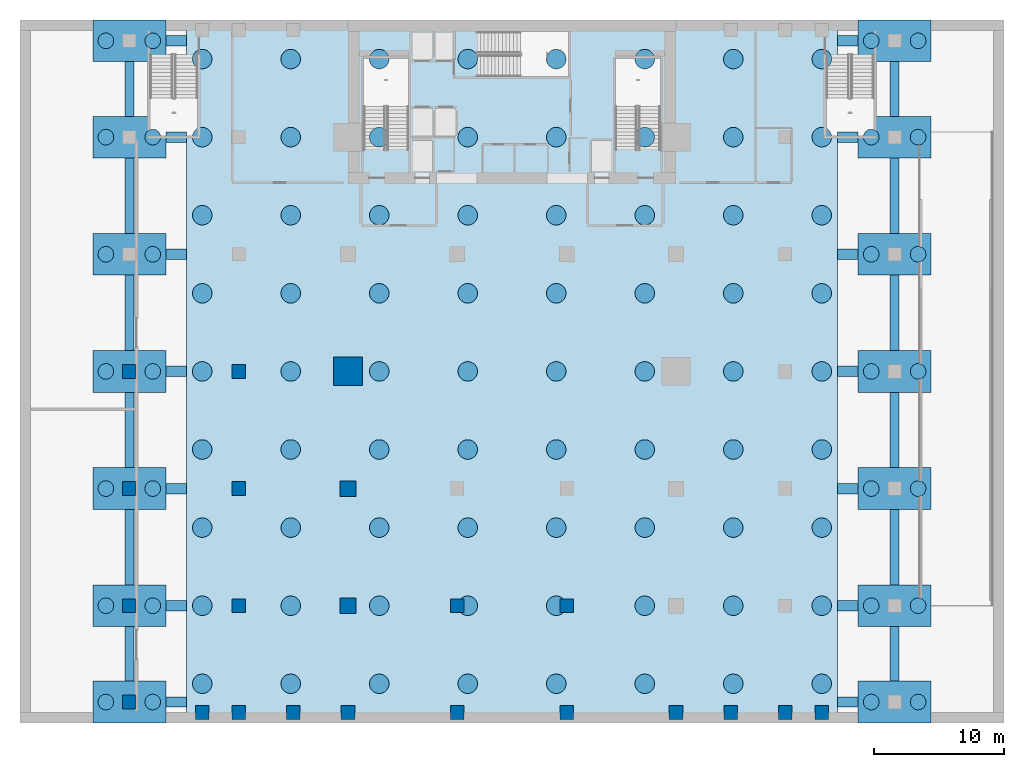
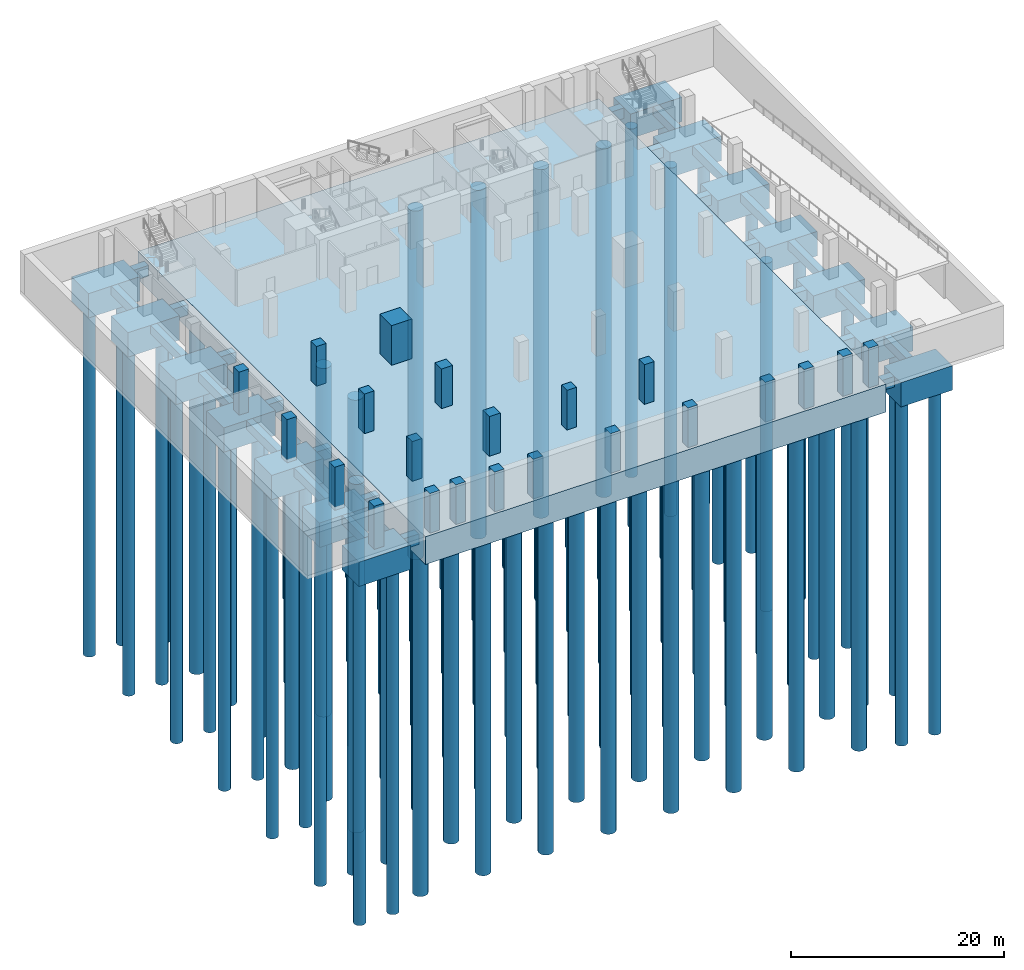
# One storey, part 1 of 9: 100 piles, 41 footings, 22 columns.
"""IFC4 building model written with IfcOpenShell, lengths in metres."""

import ifcopenshell
import ifcopenshell.guid

model = None  # the IFC model being written
_history = None  # IfcOwnerHistory: only IFC2X3 demands one
_inside = {}  # id of a spatial element -> (the spatial element, [elements in it])
_under = {}  # id of a project, library or spatial element -> (it, [spatial elements below it])
_declared = {}  # id of a project -> (the project, [libraries it declares])
_typed = {}  # id of a type object -> (the type object, [elements of that type])
_made_of = {}  # id of a material, layer set ... -> (it, [elements and type objects made of it])


def new_model(schema):
    """Start an empty IFC model of exactly this schema.

    Asked for "IFC4X3", IfcOpenShell would pick the latest addendum, in which some entities
    have other attributes; the version numbers below select the first issue.
    IFC2X3 requires an IfcOwnerHistory on every rooted entity: one is made here for all.
    """
    global model, _history
    if schema == "IFC4X3":
        model = ifcopenshell.file(schema_version=(4, 3, 0, 0))
    else:
        model = ifcopenshell.file(schema=schema)
    _inside.clear()
    _under.clear()
    _declared.clear()
    _typed.clear()
    _made_of.clear()
    _history = None
    if model.schema == "IFC2X3":
        org = make("IfcOrganization", Name="unknown")
        user = make(
            "IfcPersonAndOrganization",
            ThePerson=make("IfcPerson", FamilyName="unknown"),
            TheOrganization=org,
        )
        app = make(
            "IfcApplication",
            ApplicationDeveloper=org,
            Version="unknown",
            ApplicationFullName="unknown",
            ApplicationIdentifier="unknown",
        )
        _history = make(
            "IfcOwnerHistory",
            OwningUser=user,
            OwningApplication=app,
            ChangeAction="ADDED",
            CreationDate=0,
        )
    return model


def make(cls, **values):
    """One entity of the class cls with the attributes given. An attribute that is None is left unset."""
    return model.create_entity(
        cls, **{name: value for name, value in values.items() if value is not None}
    )


def rooted(cls, **values):
    """An entity with a GlobalId (a new one), such as an element, a storey or a relation."""
    return make(cls, GlobalId=ifcopenshell.guid.new(), OwnerHistory=_history, **values)


def si_unit(unit_type, name, prefix=None):
    """IfcSIUnit, for example si_unit("LENGTHUNIT", "METRE", prefix="MILLI")."""
    return make("IfcSIUnit", UnitType=unit_type, Prefix=prefix, Name=name)


def assignment(units):
    """IfcUnitAssignment: the units of a project."""
    return None if units is None else make("IfcUnitAssignment", Units=units)


def point(xyz):
    """IfcCartesianPoint."""
    return None if xyz is None else make("IfcCartesianPoint", Coordinates=xyz)


def direction(xyz):
    """IfcDirection."""
    return None if xyz is None else make("IfcDirection", DirectionRatios=xyz)


def frame(location, z_axis=None, x_axis=None):
    """IfcAxis2Placement3D, a coordinate frame: its origin and axes. An axis left out is left unset."""
    return make(
        "IfcAxis2Placement3D",
        Location=point(location),
        Axis=direction(z_axis),
        RefDirection=direction(x_axis),
    )


def frame_2d(location, x_axis=None):
    """IfcAxis2Placement2D, a coordinate frame in the plane: its origin and x axis."""
    return make(
        "IfcAxis2Placement2D", Location=point(location), RefDirection=direction(x_axis)
    )


def origin():
    """The frame at (0, 0, 0) with its axes left unset."""
    return frame((0.0, 0.0, 0.0))


def origin_2d():
    """The frame at (0, 0) in the plane with its x axis left unset."""
    return frame_2d((0.0, 0.0))


def place(relative_to, where):
    """IfcLocalPlacement: puts the frame where relative to a parent placement (None: the world)."""
    return make(
        "IfcLocalPlacement", PlacementRelTo=relative_to, RelativePlacement=where
    )


def context(
    kind, dimensions, precision=None, world=None, true_north=None, identifier=None
):
    """IfcGeometricRepresentationContext, for example the 3D "Model" context."""
    return make(
        "IfcGeometricRepresentationContext",
        ContextIdentifier=identifier,
        ContextType=kind,
        CoordinateSpaceDimension=dimensions,
        Precision=precision,
        WorldCoordinateSystem=world,
        TrueNorth=true_north,
    )


def subcontext(parent, identifier, kind, view, scale=None):
    """IfcGeometricRepresentationSubContext, for example "Body" below "Model"."""
    return make(
        "IfcGeometricRepresentationSubContext",
        ContextIdentifier=identifier,
        ContextType=kind,
        ParentContext=parent,
        TargetScale=scale,
        TargetView=view,
    )


def project(units=None, contexts=None):
    """IfcProject with its units and contexts."""
    return rooted(
        "IfcProject",
        Name="project",
        RepresentationContexts=contexts,
        UnitsInContext=assignment(units),
    )


def spatial(cls, under=None, at=None, **own):
    """A site, building, storey or space (cls), placed at a placement, below another one or the project."""
    s = rooted(cls, ObjectPlacement=at, **own)
    if under is not None:
        _under.setdefault(under.id(), (under, []))[1].append(s)
    return s


def polyline(points):
    """IfcPolyline through the points."""
    return make("IfcPolyline", Points=[point(p) for p in points])


def profile(cls, at=None, kind="AREA", **sizes):
    """A parametric profile (cls). Its sizes go by their IFC names, for example OverallWidth=200.0."""
    return make(cls, ProfileType=kind, Position=at, **sizes)


def rectangle(**sizes):
    """IfcRectangleProfileDef."""
    return profile("IfcRectangleProfileDef", **sizes)


def circle(**sizes):
    """IfcCircleProfileDef."""
    return profile("IfcCircleProfileDef", **sizes)


def outline(outer, holes=None, kind="AREA"):
    """IfcArbitraryClosedProfileDef: a profile drawn as a closed curve; with holes, ...WithVoids."""
    if holes is None:
        return make("IfcArbitraryClosedProfileDef", ProfileType=kind, OuterCurve=outer)
    return make(
        "IfcArbitraryProfileDefWithVoids",
        ProfileType=kind,
        OuterCurve=outer,
        InnerCurves=holes,
    )


def extrude(swept, where, along, depth):
    """IfcExtrudedAreaSolid: the profile swept, set in the frame where, extruded along a direction by depth."""
    return make(
        "IfcExtrudedAreaSolid",
        SweptArea=swept,
        Position=where,
        ExtrudedDirection=direction(along),
        Depth=depth,
    )


def shape(context_of_items, identifier, shape_type, items):
    """IfcShapeRepresentation: the items that make up one representation, for example the "Body"."""
    return make(
        "IfcShapeRepresentation",
        ContextOfItems=context_of_items,
        RepresentationIdentifier=identifier,
        RepresentationType=shape_type,
        Items=items,
    )


def material(Name=None, Category=None):
    """IfcMaterial."""
    return make("IfcMaterial", Name=Name, Category=Category)


def layer(
    of_material, thickness, ventilated=None, Name=None, Category=None, Priority=None
):
    """IfcMaterialLayer: one layer of a wall or slab, of a material (None: an air gap)."""
    return make(
        "IfcMaterialLayer",
        Material=of_material,
        LayerThickness=thickness,
        IsVentilated=ventilated,
        Name=Name,
        Category=Category,
        Priority=Priority,
    )


def layer_set(layers, Name=None):
    """IfcMaterialLayerSet."""
    return make("IfcMaterialLayerSet", MaterialLayers=layers, LayerSetName=Name)


def material_profile(
    of_material, cross_section, Name=None, Category=None, Priority=None
):
    """IfcMaterialProfile: a cross section and its material."""
    return make(
        "IfcMaterialProfile",
        Name=Name,
        Material=of_material,
        Profile=cross_section,
        Priority=Priority,
        Category=Category,
    )


def profile_set(profiles, Name=None, composite=None):
    """IfcMaterialProfileSet."""
    return make(
        "IfcMaterialProfileSet",
        Name=Name,
        MaterialProfiles=profiles,
        CompositeProfile=composite,
    )


def made_of(thing, what):
    """Note that an element or type object is made of a material, layer set ...; save() writes the relation."""
    if what is not None:
        _made_of.setdefault(what.id(), (what, []))[1].append(thing)
    return thing


def type_object(cls, material=None, **own):
    """A type object (cls), such as IfcWallType, which elements share."""
    return made_of(rooted(cls, **own), material)


def element(
    cls,
    number,
    at=None,
    inside=None,
    cuts=None,
    type_object=None,
    material=None,
    context=None,
    identifier="Body",
    shape_type=None,
    held_by="IfcProductDefinitionShape",
    body=None,
    shapes=None,
    **own,
):
    """One element of the class cls, such as IfcWall. Its Tag is "e" and its number.

    at: its placement. inside: the storey or other place that contains it. cuts: it is an
    opening in that element (IfcRelVoidsElement). A single representation is given by context,
    identifier, shape_type and body (its items); several are given by shapes. held_by: the class
    of the entity that holds the representations. save() writes the other relations.
    """
    e = rooted(cls, Tag="e%d" % number, ObjectPlacement=at, **own)
    if body is not None:
        shapes = [shape(context, identifier, shape_type, body)]
    if shapes is not None:
        e.Representation = make(held_by, Representations=shapes)
    if inside is not None:
        _inside.setdefault(inside.id(), (inside, []))[1].append(e)
    if cuts is not None:
        rooted(
            "IfcRelVoidsElement", RelatingBuildingElement=cuts, RelatedOpeningElement=e
        )
    if type_object is not None:
        _typed.setdefault(type_object.id(), (type_object, []))[1].append(e)
    return made_of(e, material)


def aggregate(whole, parts):
    """IfcRelAggregates: a whole, such as a stair, and the parts it consists of."""
    return rooted("IfcRelAggregates", RelatingObject=whole, RelatedObjects=parts)


def save(model, path):
    """Write the relations noted so far, then the file.

    IfcRelAggregates (storeys below a building ...), IfcRelContainedInSpatialStructure (elements
    in a storey), IfcRelDefinesByType, IfcRelAssociatesMaterial and IfcRelDeclares: one each for
    every whole, place, type object, material and project.
    """
    for whole, parts in _under.values():
        aggregate(whole, parts)
    for where, things in _inside.values():
        rooted(
            "IfcRelContainedInSpatialStructure",
            RelatedElements=things,
            RelatingStructure=where,
        )
    for kind, things in _typed.values():
        rooted("IfcRelDefinesByType", RelatedObjects=things, RelatingType=kind)
    for what, things in _made_of.values():
        rooted("IfcRelAssociatesMaterial", RelatedObjects=things, RelatingMaterial=what)
    for by, libraries in _declared.values():
        rooted("IfcRelDeclares", RelatingContext=by, RelatedDefinitions=libraries)
    model.write(path)


model = new_model("IFC4")

# Units and contexts
model_context = context("Model", 3, precision=1e-05, world=origin(), true_north=direction((0.0, 1.0)))
body_context = subcontext(model_context, "Body", "Model", "MODEL_VIEW")
ifc_project = project(units=[si_unit("LENGTHUNIT", "METRE"), si_unit("AREAUNIT", "SQUARE_METRE"), si_unit("VOLUMEUNIT", "CUBIC_METRE"), si_unit("PLANEANGLEUNIT", "RADIAN"), si_unit("MASSUNIT", "GRAM", prefix="KILO")], contexts=[model_context])

# Site, building, storey
site_placement = place(None, origin())
site = spatial("IfcSite", under=ifc_project, at=site_placement, CompositionType="ELEMENT")
building_placement = place(site_placement, origin())
building = spatial("IfcBuilding", under=site, at=building_placement, Name="Maruvema Waterfront Hotel and Observation Tower", CompositionType="ELEMENT")
storey_placement = place(building_placement, frame((0.0, 0.0, -9.800048828125)))
storey = spatial("IfcBuildingStorey", under=building, at=storey_placement, Name="B02", CompositionType="ELEMENT", Elevation=-9.800048828125)

# Piles
ifc_material_1 = material(Name="Concrete C50/60", Category="concrete")
ifc_material_profile_1 = material_profile(ifc_material_1, circle(Radius=0.60009765625, at=origin_2d()), Name="BP1200")
ifc_profile_set_1 = profile_set([ifc_material_profile_1], Name="Concrete C50/60")
pile_type_1 = type_object("IfcPileType", Name="Bored Concrete Pile BP1200", PredefinedType="BORED", material=ifc_profile_set_1)
for number, where, z_axis, x_axis, name in (
    (1, (6.60009765625, 1.60009765625, -3.0), (0.0, 0.0, -1.0), (1.0, 0.0, 0.0), "Bored Concrete Pile PILE-1200-01"),
    (2, (10.199951171875, 1.60009765625, -3.0), (0.0, 0.0, -1.0), (1.0, 0.0, 0.0), "Bored Concrete Pile PILE-1200-02"),
    (3, (6.60009765625, 9.0, -3.0), (0.0, 0.0, -1.0), (1.0, 0.0, 0.0), "Bored Concrete Pile PILE-1200-03"),
    (4, (10.199951171875, 9.0, -3.0), (0.0, 0.0, -1.0), (1.0, 0.0, 0.0), "Bored Concrete Pile PILE-1200-04"),
    (5, (6.60009765625, 18.0, -3.0), (0.0, 0.0, -1.0), (1.0, 0.0, 0.0), "Bored Concrete Pile PILE-1200-05"),
    (6, (10.199951171875, 18.0, -3.0), (0.0, 0.0, -1.0), (1.0, 0.0, 0.0), "Bored Concrete Pile PILE-1200-06"),
    (7, (6.60009765625, 27.0, -3.0), (0.0, 0.0, -1.0), (1.0, 0.0, 0.0), "Bored Concrete Pile PILE-1200-07"),
    (8, (10.199951171875, 27.0, -3.0), (0.0, 0.0, -1.0), (1.0, 0.0, 0.0), "Bored Concrete Pile PILE-1200-08"),
    (9, (6.60009765625, 36.0, -3.0), (0.0, 0.0, -1.0), (1.0, 0.0, 0.0), "Bored Concrete Pile PILE-1200-09"),
    (10, (10.199951171875, 36.0, -3.0), (0.0, 0.0, -1.0), (1.0, 0.0, 0.0), "Bored Concrete Pile PILE-1200-10"),
    (11, (6.60009765625, 45.0, -3.0), (0.0, 0.0, -1.0), (1.0, 0.0, 0.0), "Bored Concrete Pile PILE-1200-11"),
    (12, (10.199951171875, 45.0, -3.0), (0.0, 0.0, -1.0), (1.0, 0.0, 0.0), "Bored Concrete Pile PILE-1200-12"),
    (13, (6.60009765625, 52.39990234375, -3.0), (0.0, 0.0, -1.0), (1.0, 0.0, 0.0), "Bored Concrete Pile PILE-1200-13"),
    (14, (10.199951171875, 52.39990234375, -3.0), (0.0, 0.0, -1.0), (1.0, 0.0, 0.0), "Bored Concrete Pile PILE-1200-14"),
    (15, (65.39990234375, 1.60009765625, -3.0), (0.0, 0.0, -1.0), (1.0, 0.0, 0.0), "Bored Concrete Pile PILE-1200-15"),
    (16, (69.0, 1.60009765625, -3.0), (0.0, 0.0, -1.0), (1.0, 0.0, 0.0), "Bored Concrete Pile PILE-1200-16"),
    (17, (65.39990234375, 9.0, -3.0), (0.0, 0.0, -1.0), (1.0, 0.0, 0.0), "Bored Concrete Pile PILE-1200-17"),
    (18, (69.0, 9.0, -3.0), (0.0, 0.0, -1.0), (1.0, 0.0, 0.0), "Bored Concrete Pile PILE-1200-18"),
    (19, (65.39990234375, 18.0, -3.0), (0.0, 0.0, -1.0), (1.0, 0.0, 0.0), "Bored Concrete Pile PILE-1200-19"),
    (20, (69.0, 18.0, -3.0), (0.0, 0.0, -1.0), (1.0, 0.0, 0.0), "Bored Concrete Pile PILE-1200-20"),
    (21, (65.39990234375, 27.0, -3.0), (0.0, 0.0, -1.0), (1.0, 0.0, 0.0), "Bored Concrete Pile PILE-1200-21"),
    (22, (69.0, 27.0, -3.0), (0.0, 0.0, -1.0), (1.0, 0.0, 0.0), "Bored Concrete Pile PILE-1200-22"),
    (23, (65.39990234375, 36.0, -3.0), (0.0, 0.0, -1.0), (1.0, 0.0, 0.0), "Bored Concrete Pile PILE-1200-23"),
    (24, (69.0, 36.0, -3.0), (0.0, 0.0, -1.0), (1.0, 0.0, 0.0), "Bored Concrete Pile PILE-1200-24"),
    (25, (65.39990234375, 45.0, -3.0), (0.0, 0.0, -1.0), (1.0, 0.0, 0.0), "Bored Concrete Pile PILE-1200-25"),
    (26, (69.0, 45.0, -3.0), (0.0, 0.0, -1.0), (1.0, 0.0, 0.0), "Bored Concrete Pile PILE-1200-26"),
    (27, (65.39990234375, 52.39990234375, -3.0), (0.0, 0.0, -1.0), (1.0, 0.0, 0.0), "Bored Concrete Pile PILE-1200-27"),
    (28, (69.0, 52.39990234375, -3.0), (0.0, 0.0, -1.0), (1.0, 0.0, 0.0), "Bored Concrete Pile PILE-1200-28"),
):
    element("IfcPile", number, at=place(storey_placement, frame(where, z_axis=z_axis, x_axis=x_axis)), inside=storey, type_object=pile_type_1, Name=name, PredefinedType="BORED", context=body_context, shape_type="SweptSolid", body=[
        extrude(circle(Radius=0.60009765625, at=origin_2d()), origin(), (0.0, 0.0, 1.0), 40.0),
    ])
ifc_material_2 = material(Name="Concrete C50/60", Category="concrete")
ifc_material_profile_2 = material_profile(ifc_material_2, circle(Radius=0.75, at=origin_2d()), Name="BP1500")
ifc_profile_set_2 = profile_set([ifc_material_profile_2], Name="Concrete C50/60")
pile_type_2 = type_object("IfcPileType", Name="Bored Concrete Pile BP1500", PredefinedType="BORED", material=ifc_profile_set_2)
for number, where, z_axis, x_axis, name in (
    (29, (14.0, 3.0, -3.0), (0.0, 0.0, -1.0), (1.0, 0.0, 0.0), "Bored Concrete Pile PILE-1500-01"),
    (30, (20.800048828125, 3.0, -3.0), (0.0, 0.0, -1.0), (1.0, 0.0, 0.0), "Bored Concrete Pile PILE-1500-02"),
    (31, (27.60009765625, 3.0, -3.0), (0.0, 0.0, -1.0), (1.0, 0.0, 0.0), "Bored Concrete Pile PILE-1500-03"),
    (32, (34.39990234375, 3.0, -3.0), (0.0, 0.0, -1.0), (1.0, 0.0, 0.0), "Bored Concrete Pile PILE-1500-04"),
    (33, (41.199951171875, 3.0, -3.0), (0.0, 0.0, -1.0), (1.0, 0.0, 0.0), "Bored Concrete Pile PILE-1500-05"),
    (34, (48.0, 3.0, -3.0), (0.0, 0.0, -1.0), (1.0, 0.0, 0.0), "Bored Concrete Pile PILE-1500-06"),
    (35, (54.800048828125, 3.0, -3.0), (0.0, 0.0, -1.0), (1.0, 0.0, 0.0), "Bored Concrete Pile PILE-1500-07"),
    (36, (61.60009765625, 3.0, -3.0), (0.0, 0.0, -1.0), (1.0, 0.0, 0.0), "Bored Concrete Pile PILE-1500-08"),
    (37, (14.0, 9.0, -3.0), (0.0, 0.0, -1.0), (1.0, 0.0, 0.0), "Bored Concrete Pile PILE-1500-09"),
    (38, (20.800048828125, 9.0, -3.0), (0.0, 0.0, -1.0), (1.0, 0.0, 0.0), "Bored Concrete Pile PILE-1500-10"),
    (39, (27.60009765625, 9.0, -3.0), (0.0, 0.0, -1.0), (1.0, 0.0, 0.0), "Bored Concrete Pile PILE-1500-11"),
    (40, (34.39990234375, 9.0, -3.0), (0.0, 0.0, -1.0), (1.0, 0.0, 0.0), "Bored Concrete Pile PILE-1500-12"),
    (41, (41.199951171875, 9.0, -3.0), (0.0, 0.0, -1.0), (1.0, 0.0, 0.0), "Bored Concrete Pile PILE-1500-13"),
    (42, (48.0, 9.0, -3.0), (0.0, 0.0, -1.0), (1.0, 0.0, 0.0), "Bored Concrete Pile PILE-1500-14"),
    (43, (54.800048828125, 9.0, -3.0), (0.0, 0.0, -1.0), (1.0, 0.0, 0.0), "Bored Concrete Pile PILE-1500-15"),
    (44, (61.60009765625, 9.0, -3.0), (0.0, 0.0, -1.0), (1.0, 0.0, 0.0), "Bored Concrete Pile PILE-1500-16"),
    (45, (14.0, 15.0, -3.0), (0.0, 0.0, -1.0), (1.0, 0.0, 0.0), "Bored Concrete Pile PILE-1500-17"),
    (46, (20.800048828125, 15.0, -3.0), (0.0, 0.0, -1.0), (1.0, 0.0, 0.0), "Bored Concrete Pile PILE-1500-18"),
    (47, (27.60009765625, 15.0, -3.0), (0.0, 0.0, -1.0), (1.0, 0.0, 0.0), "Bored Concrete Pile PILE-1500-19"),
    (48, (34.39990234375, 15.0, -3.0), (0.0, 0.0, -1.0), (1.0, 0.0, 0.0), "Bored Concrete Pile PILE-1500-20"),
    (49, (41.199951171875, 15.0, -3.0), (0.0, 0.0, -1.0), (1.0, 0.0, 0.0), "Bored Concrete Pile PILE-1500-21"),
    (50, (48.0, 15.0, -3.0), (0.0, 0.0, -1.0), (1.0, 0.0, 0.0), "Bored Concrete Pile PILE-1500-22"),
    (51, (54.800048828125, 15.0, -3.0), (0.0, 0.0, -1.0), (1.0, 0.0, 0.0), "Bored Concrete Pile PILE-1500-23"),
    (52, (61.60009765625, 15.0, -3.0), (0.0, 0.0, -1.0), (1.0, 0.0, 0.0), "Bored Concrete Pile PILE-1500-24"),
    (53, (14.0, 21.0, -3.0), (0.0, 0.0, -1.0), (1.0, 0.0, 0.0), "Bored Concrete Pile PILE-1500-25"),
    (54, (20.800048828125, 21.0, -3.0), (0.0, 0.0, -1.0), (1.0, 0.0, 0.0), "Bored Concrete Pile PILE-1500-26"),
    (55, (27.60009765625, 21.0, -3.0), (0.0, 0.0, -1.0), (1.0, 0.0, 0.0), "Bored Concrete Pile PILE-1500-27"),
    (56, (34.39990234375, 21.0, -3.0), (0.0, 0.0, -1.0), (1.0, 0.0, 0.0), "Bored Concrete Pile PILE-1500-28"),
    (57, (41.199951171875, 21.0, -3.0), (0.0, 0.0, -1.0), (1.0, 0.0, 0.0), "Bored Concrete Pile PILE-1500-29"),
    (58, (48.0, 21.0, -3.0), (0.0, 0.0, -1.0), (1.0, 0.0, 0.0), "Bored Concrete Pile PILE-1500-30"),
    (59, (54.800048828125, 21.0, -3.0), (0.0, 0.0, -1.0), (1.0, 0.0, 0.0), "Bored Concrete Pile PILE-1500-31"),
    (60, (61.60009765625, 21.0, -3.0), (0.0, 0.0, -1.0), (1.0, 0.0, 0.0), "Bored Concrete Pile PILE-1500-32"),
    (61, (14.0, 27.0, -3.0), (0.0, 0.0, -1.0), (1.0, 0.0, 0.0), "Bored Concrete Pile PILE-1500-33"),
    (62, (20.800048828125, 27.0, -3.0), (0.0, 0.0, -1.0), (1.0, 0.0, 0.0), "Bored Concrete Pile PILE-1500-34"),
    (63, (27.60009765625, 27.0, -3.0), (0.0, 0.0, -1.0), (1.0, 0.0, 0.0), "Bored Concrete Pile PILE-1500-35"),
    (64, (34.39990234375, 27.0, -3.0), (0.0, 0.0, -1.0), (1.0, 0.0, 0.0), "Bored Concrete Pile PILE-1500-36"),
    (65, (41.199951171875, 27.0, -3.0), (0.0, 0.0, -1.0), (1.0, 0.0, 0.0), "Bored Concrete Pile PILE-1500-37"),
    (66, (48.0, 27.0, -3.0), (0.0, 0.0, -1.0), (1.0, 0.0, 0.0), "Bored Concrete Pile PILE-1500-38"),
    (67, (54.800048828125, 27.0, -3.0), (0.0, 0.0, -1.0), (1.0, 0.0, 0.0), "Bored Concrete Pile PILE-1500-39"),
    (68, (61.60009765625, 27.0, -3.0), (0.0, 0.0, -1.0), (1.0, 0.0, 0.0), "Bored Concrete Pile PILE-1500-40"),
    (69, (14.0, 33.0, -3.0), (0.0, 0.0, -1.0), (1.0, 0.0, 0.0), "Bored Concrete Pile PILE-1500-41"),
    (70, (20.800048828125, 33.0, -3.0), (0.0, 0.0, -1.0), (1.0, 0.0, 0.0), "Bored Concrete Pile PILE-1500-42"),
    (71, (27.60009765625, 33.0, -3.0), (0.0, 0.0, -1.0), (1.0, 0.0, 0.0), "Bored Concrete Pile PILE-1500-43"),
    (72, (34.39990234375, 33.0, -3.0), (0.0, 0.0, -1.0), (1.0, 0.0, 0.0), "Bored Concrete Pile PILE-1500-44"),
    (73, (41.199951171875, 33.0, -3.0), (0.0, 0.0, -1.0), (1.0, 0.0, 0.0), "Bored Concrete Pile PILE-1500-45"),
    (74, (48.0, 33.0, -3.0), (0.0, 0.0, -1.0), (1.0, 0.0, 0.0), "Bored Concrete Pile PILE-1500-46"),
    (75, (54.800048828125, 33.0, -3.0), (0.0, 0.0, -1.0), (1.0, 0.0, 0.0), "Bored Concrete Pile PILE-1500-47"),
    (76, (61.60009765625, 33.0, -3.0), (0.0, 0.0, -1.0), (1.0, 0.0, 0.0), "Bored Concrete Pile PILE-1500-48"),
    (77, (14.0, 39.0, -3.0), (0.0, 0.0, -1.0), (1.0, 0.0, 0.0), "Bored Concrete Pile PILE-1500-49"),
    (78, (20.800048828125, 39.0, -3.0), (0.0, 0.0, -1.0), (1.0, 0.0, 0.0), "Bored Concrete Pile PILE-1500-50"),
    (79, (27.60009765625, 39.0, -3.0), (0.0, 0.0, -1.0), (1.0, 0.0, 0.0), "Bored Concrete Pile PILE-1500-51"),
    (80, (34.39990234375, 39.0, -3.0), (0.0, 0.0, -1.0), (1.0, 0.0, 0.0), "Bored Concrete Pile PILE-1500-52"),
    (81, (41.199951171875, 39.0, -3.0), (0.0, 0.0, -1.0), (1.0, 0.0, 0.0), "Bored Concrete Pile PILE-1500-53"),
    (82, (48.0, 39.0, -3.0), (0.0, 0.0, -1.0), (1.0, 0.0, 0.0), "Bored Concrete Pile PILE-1500-54"),
    (83, (54.800048828125, 39.0, -3.0), (0.0, 0.0, -1.0), (1.0, 0.0, 0.0), "Bored Concrete Pile PILE-1500-55"),
    (84, (61.60009765625, 39.0, -3.0), (0.0, 0.0, -1.0), (1.0, 0.0, 0.0), "Bored Concrete Pile PILE-1500-56"),
    (85, (14.0, 45.0, -3.0), (0.0, 0.0, -1.0), (1.0, 0.0, 0.0), "Bored Concrete Pile PILE-1500-57"),
    (86, (20.800048828125, 45.0, -3.0), (0.0, 0.0, -1.0), (1.0, 0.0, 0.0), "Bored Concrete Pile PILE-1500-58"),
    (87, (27.60009765625, 45.0, -3.0), (0.0, 0.0, -1.0), (1.0, 0.0, 0.0), "Bored Concrete Pile PILE-1500-59"),
    (88, (34.39990234375, 45.0, -3.0), (0.0, 0.0, -1.0), (1.0, 0.0, 0.0), "Bored Concrete Pile PILE-1500-60"),
    (89, (41.199951171875, 45.0, -3.0), (0.0, 0.0, -1.0), (1.0, 0.0, 0.0), "Bored Concrete Pile PILE-1500-61"),
    (90, (48.0, 45.0, -3.0), (0.0, 0.0, -1.0), (1.0, 0.0, 0.0), "Bored Concrete Pile PILE-1500-62"),
    (91, (54.800048828125, 45.0, -3.0), (0.0, 0.0, -1.0), (1.0, 0.0, 0.0), "Bored Concrete Pile PILE-1500-63"),
    (92, (61.60009765625, 45.0, -3.0), (0.0, 0.0, -1.0), (1.0, 0.0, 0.0), "Bored Concrete Pile PILE-1500-64"),
    (93, (14.0, 51.0, -3.0), (0.0, 0.0, -1.0), (1.0, 0.0, 0.0), "Bored Concrete Pile PILE-1500-65"),
    (94, (20.800048828125, 51.0, -3.0), (0.0, 0.0, -1.0), (1.0, 0.0, 0.0), "Bored Concrete Pile PILE-1500-66"),
    (95, (27.60009765625, 51.0, -3.0), (0.0, 0.0, -1.0), (1.0, 0.0, 0.0), "Bored Concrete Pile PILE-1500-67"),
    (96, (34.39990234375, 51.0, -3.0), (0.0, 0.0, -1.0), (1.0, 0.0, 0.0), "Bored Concrete Pile PILE-1500-68"),
    (97, (41.199951171875, 51.0, -3.0), (0.0, 0.0, -1.0), (1.0, 0.0, 0.0), "Bored Concrete Pile PILE-1500-69"),
    (98, (48.0, 51.0, -3.0), (0.0, 0.0, -1.0), (1.0, 0.0, 0.0), "Bored Concrete Pile PILE-1500-70"),
    (99, (54.800048828125, 51.0, -3.0), (0.0, 0.0, -1.0), (1.0, 0.0, 0.0), "Bored Concrete Pile PILE-1500-71"),
    (100, (61.60009765625, 51.0, -3.0), (0.0, 0.0, -1.0), (1.0, 0.0, 0.0), "Bored Concrete Pile PILE-1500-72"),
):
    element("IfcPile", number, at=place(storey_placement, frame(where, z_axis=z_axis, x_axis=x_axis)), inside=storey, type_object=pile_type_2, Name=name, PredefinedType="BORED", context=body_context, shape_type="SweptSolid", body=[
        extrude(circle(Radius=0.75, at=origin_2d()), origin(), (0.0, 0.0, 1.0), 40.0),
    ])

# Footings
ifc_material_3 = material(Name="Concrete C60/75", Category="concrete")
ifc_material_profile_3 = material_profile(ifc_material_3, rectangle(XDim=0.699951171875, YDim=1.0, at=origin_2d()), Name="GB700x1000")
ifc_profile_set_3 = profile_set([ifc_material_profile_3], Name="Concrete C60/75")
footing_type_1 = type_object("IfcFootingType", Name="Foundation Tie Ground Beam GB700x1000", PredefinedType="FOOTING_BEAM", material=ifc_profile_set_3)
footing_1_placement = place(storey_placement, frame((8.39990234375, 3.199951171875, -0.89990234375), z_axis=(0.0, 1.0, 0.0), x_axis=(-1.0, 0.0, 0.0)))
element("IfcFooting", 101, at=footing_1_placement, inside=storey, type_object=footing_type_1, Name="Perimeter Ground Beam GB-02 W1", PredefinedType="FOOTING_BEAM", context=body_context, shape_type="SweptSolid", body=[
    extrude(rectangle(XDim=0.699951171875, YDim=1.0, at=origin_2d()), origin(), (0.0, 0.0, 1.0), 4.199951171875),
])
for number, where, z_axis, x_axis, name in (
    (102, (8.39990234375, 10.60009765625, -0.89990234375), (0.0, 1.0, 0.0), (-1.0, 0.0, 0.0), "Perimeter Ground Beam GB-02 W2"),
    (103, (8.39990234375, 19.60009765625, -0.89990234375), (0.0, 1.0, 0.0), (-1.0, 0.0, 0.0), "Perimeter Ground Beam GB-02 W3"),
    (104, (8.39990234375, 28.60009765625, -0.89990234375), (0.0, 1.0, 0.0), (-1.0, 0.0, 0.0), "Perimeter Ground Beam GB-02 W4"),
    (105, (8.39990234375, 37.60009765625, -0.89990234375), (0.0, 1.0, 0.0), (-1.0, 0.0, 0.0), "Perimeter Ground Beam GB-02 W5"),
):
    element("IfcFooting", number, at=place(storey_placement, frame(where, z_axis=z_axis, x_axis=x_axis)), inside=storey, type_object=footing_type_1, Name=name, PredefinedType="FOOTING_BEAM", context=body_context, shape_type="SweptSolid", body=[
        extrude(rectangle(XDim=0.699951171875, YDim=1.0, at=origin_2d()), origin(), (0.0, 0.0, 1.0), 5.7998046875),
    ])
for number, where, z_axis, x_axis, name in (
    (106, (8.39990234375, 46.60009765625, -0.89990234375), (0.0, 1.0, 0.0), (-1.0, 0.0, 0.0), "Perimeter Ground Beam GB-02 W6"),
    (107, (67.199951171875, 3.199951171875, -0.89990234375), (0.0, 1.0, 0.0), (-1.0, 0.0, 0.0), "Perimeter Ground Beam GB-02 E1"),
):
    element("IfcFooting", number, at=place(storey_placement, frame(where, z_axis=z_axis, x_axis=x_axis)), inside=storey, type_object=footing_type_1, Name=name, PredefinedType="FOOTING_BEAM", context=body_context, shape_type="SweptSolid", body=[
        extrude(rectangle(XDim=0.699951171875, YDim=1.0, at=origin_2d()), origin(), (0.0, 0.0, 1.0), 4.199951171875),
    ])
for number, where, z_axis, x_axis, name in (
    (108, (67.199951171875, 10.60009765625, -0.89990234375), (0.0, 1.0, 0.0), (-1.0, 0.0, 0.0), "Perimeter Ground Beam GB-02 E2"),
    (109, (67.199951171875, 19.60009765625, -0.89990234375), (0.0, 1.0, 0.0), (-1.0, 0.0, 0.0), "Perimeter Ground Beam GB-02 E3"),
    (110, (67.199951171875, 28.60009765625, -0.89990234375), (0.0, 1.0, 0.0), (-1.0, 0.0, 0.0), "Perimeter Ground Beam GB-02 E4"),
    (111, (67.199951171875, 37.60009765625, -0.89990234375), (0.0, 1.0, 0.0), (-1.0, 0.0, 0.0), "Perimeter Ground Beam GB-02 E5"),
):
    element("IfcFooting", number, at=place(storey_placement, frame(where, z_axis=z_axis, x_axis=x_axis)), inside=storey, type_object=footing_type_1, Name=name, PredefinedType="FOOTING_BEAM", context=body_context, shape_type="SweptSolid", body=[
        extrude(rectangle(XDim=0.699951171875, YDim=1.0, at=origin_2d()), origin(), (0.0, 0.0, 1.0), 5.7998046875),
    ])
footing_2_placement = place(storey_placement, frame((67.199951171875, 46.60009765625, -0.89990234375), z_axis=(0.0, 1.0, 0.0), x_axis=(-1.0, 0.0, 0.0)))
element("IfcFooting", 112, at=footing_2_placement, inside=storey, type_object=footing_type_1, Name="Perimeter Ground Beam GB-02 E6", PredefinedType="FOOTING_BEAM", context=body_context, shape_type="SweptSolid", body=[
    extrude(rectangle(XDim=0.699951171875, YDim=1.0, at=origin_2d()), origin(), (0.0, 0.0, 1.0), 4.199951171875),
])
ifc_material_4 = material(Name="Concrete C60/75", Category="concrete")
ifc_material_profile_4 = material_profile(ifc_material_4, rectangle(XDim=0.800048828125, YDim=1.199951171875, at=origin_2d()), Name="GB800x1200")
ifc_profile_set_4 = profile_set([ifc_material_profile_4], Name="Concrete C60/75")
footing_type_2 = type_object("IfcFootingType", Name="Foundation Tie Ground Beam GB800x1200", PredefinedType="FOOTING_BEAM", material=ifc_profile_set_4)
for number, where, z_axis, x_axis, name in (
    (113, (11.199951171875, 1.60009765625, -1.0), (1.0, 0.0, 0.0), (0.0, 1.0, 0.0), "Foundation Ground Beam GB-01 W1"),
    (114, (11.199951171875, 9.0, -1.0), (1.0, 0.0, 0.0), (0.0, 1.0, 0.0), "Foundation Ground Beam GB-01 W2"),
    (115, (11.199951171875, 18.0, -1.0), (1.0, 0.0, 0.0), (0.0, 1.0, 0.0), "Foundation Ground Beam GB-01 W3"),
    (116, (11.199951171875, 27.0, -1.0), (1.0, 0.0, 0.0), (0.0, 1.0, 0.0), "Foundation Ground Beam GB-01 W4"),
    (117, (11.199951171875, 36.0, -1.0), (1.0, 0.0, 0.0), (0.0, 1.0, 0.0), "Foundation Ground Beam GB-01 W5"),
    (118, (11.199951171875, 45.0, -1.0), (1.0, 0.0, 0.0), (0.0, 1.0, 0.0), "Foundation Ground Beam GB-01 W6"),
    (119, (11.199951171875, 52.39990234375, -1.0), (1.0, 0.0, 0.0), (0.0, 1.0, 0.0), "Foundation Ground Beam GB-01 W7"),
):
    element("IfcFooting", number, at=place(storey_placement, frame(where, z_axis=z_axis, x_axis=x_axis)), inside=storey, type_object=footing_type_2, Name=name, PredefinedType="FOOTING_BEAM", context=body_context, shape_type="SweptSolid", body=[
        extrude(rectangle(XDim=0.800048828125, YDim=1.199951171875, at=origin_2d()), origin(), (0.0, 0.0, 1.0), 1.60009765625),
    ])
for number, where, z_axis, x_axis, name in (
    (120, (62.800048828125, 1.60009765625, -1.0), (1.0, 0.0, 0.0), (0.0, 1.0, 0.0), "Foundation Ground Beam GB-01 E1"),
    (121, (62.800048828125, 9.0, -1.0), (1.0, 0.0, 0.0), (0.0, 1.0, 0.0), "Foundation Ground Beam GB-01 E2"),
    (122, (62.800048828125, 18.0, -1.0), (1.0, 0.0, 0.0), (0.0, 1.0, 0.0), "Foundation Ground Beam GB-01 E3"),
    (123, (62.800048828125, 27.0, -1.0), (1.0, 0.0, 0.0), (0.0, 1.0, 0.0), "Foundation Ground Beam GB-01 E4"),
    (124, (62.800048828125, 36.0, -1.0), (1.0, 0.0, 0.0), (0.0, 1.0, 0.0), "Foundation Ground Beam GB-01 E5"),
    (125, (62.800048828125, 45.0, -1.0), (1.0, 0.0, 0.0), (0.0, 1.0, 0.0), "Foundation Ground Beam GB-01 E6"),
    (126, (62.800048828125, 52.39990234375, -1.0), (1.0, 0.0, 0.0), (0.0, 1.0, 0.0), "Foundation Ground Beam GB-01 E7"),
):
    element("IfcFooting", number, at=place(storey_placement, frame(where, z_axis=z_axis, x_axis=x_axis)), inside=storey, type_object=footing_type_2, Name=name, PredefinedType="FOOTING_BEAM", context=body_context, shape_type="SweptSolid", body=[
        extrude(rectangle(XDim=0.800048828125, YDim=1.199951171875, at=origin_2d()), origin(), (0.0, 0.0, 1.0), 1.599853515625),
    ])
ifc_material_5 = material(Name="Concrete C60/75", Category="concrete")
ifc_layer_1 = layer(ifc_material_5, 2.800048828125, Name="Perimeter Podium Pile Cap 2800 mm")
ifc_layer_set_1 = layer_set([ifc_layer_1], Name="Concrete C60/75")
footing_type_3 = type_object("IfcFootingType", Name="Perimeter Podium Pile Cap 2800 mm", PredefinedType="PILE_CAP", material=ifc_layer_set_1)
footing_3_placement = place(storey_placement, frame((0.0, 0.0, -3.199951171875)))
element("IfcFooting", 127, at=footing_3_placement, inside=storey, type_object=footing_type_3, Name="Perimeter Pile Cap PC-01 W1", PredefinedType="PILE_CAP", context=body_context, shape_type="SweptSolid", body=[
    extrude(outline(polyline([(5.60009765625, 0.0), (11.199951171875, 0.0), (11.199951171875, 3.199951171875), (5.60009765625, 3.199951171875), (5.60009765625, 0.0)])), origin(), (0.0, 0.0, 1.0), 2.800048828125),
])
footing_4_placement = place(storey_placement, frame((0.0, 0.0, -3.199951171875)))
element("IfcFooting", 128, at=footing_4_placement, inside=storey, type_object=footing_type_3, Name="Perimeter Pile Cap PC-01 W2", PredefinedType="PILE_CAP", context=body_context, shape_type="SweptSolid", body=[
    extrude(outline(polyline([(5.60009765625, 7.39990234375), (11.199951171875, 7.39990234375), (11.199951171875, 10.60009765625), (5.60009765625, 10.60009765625), (5.60009765625, 7.39990234375)])), origin(), (0.0, 0.0, 1.0), 2.800048828125),
])
footing_5_placement = place(storey_placement, frame((0.0, 0.0, -3.199951171875)))
element("IfcFooting", 129, at=footing_5_placement, inside=storey, type_object=footing_type_3, Name="Perimeter Pile Cap PC-01 W3", PredefinedType="PILE_CAP", context=body_context, shape_type="SweptSolid", body=[
    extrude(outline(polyline([(5.60009765625, 16.39990234375), (11.199951171875, 16.39990234375), (11.199951171875, 19.60009765625), (5.60009765625, 19.60009765625), (5.60009765625, 16.39990234375)])), origin(), (0.0, 0.0, 1.0), 2.800048828125),
])
footing_6_placement = place(storey_placement, frame((0.0, 0.0, -3.199951171875)))
element("IfcFooting", 130, at=footing_6_placement, inside=storey, type_object=footing_type_3, Name="Perimeter Pile Cap PC-01 W4", PredefinedType="PILE_CAP", context=body_context, shape_type="SweptSolid", body=[
    extrude(outline(polyline([(5.60009765625, 25.39990234375), (11.199951171875, 25.39990234375), (11.199951171875, 28.60009765625), (5.60009765625, 28.60009765625), (5.60009765625, 25.39990234375)])), origin(), (0.0, 0.0, 1.0), 2.800048828125),
])
footing_7_placement = place(storey_placement, frame((0.0, 0.0, -3.199951171875)))
element("IfcFooting", 131, at=footing_7_placement, inside=storey, type_object=footing_type_3, Name="Perimeter Pile Cap PC-01 W5", PredefinedType="PILE_CAP", context=body_context, shape_type="SweptSolid", body=[
    extrude(outline(polyline([(5.60009765625, 34.39990234375), (11.199951171875, 34.39990234375), (11.199951171875, 37.60009765625), (5.60009765625, 37.60009765625), (5.60009765625, 34.39990234375)])), origin(), (0.0, 0.0, 1.0), 2.800048828125),
])
footing_8_placement = place(storey_placement, frame((0.0, 0.0, -3.199951171875)))
element("IfcFooting", 132, at=footing_8_placement, inside=storey, type_object=footing_type_3, Name="Perimeter Pile Cap PC-01 W6", PredefinedType="PILE_CAP", context=body_context, shape_type="SweptSolid", body=[
    extrude(outline(polyline([(5.60009765625, 43.39990234375), (11.199951171875, 43.39990234375), (11.199951171875, 46.60009765625), (5.60009765625, 46.60009765625), (5.60009765625, 43.39990234375)])), origin(), (0.0, 0.0, 1.0), 2.800048828125),
])
footing_9_placement = place(storey_placement, frame((0.0, 0.0, -3.199951171875)))
element("IfcFooting", 133, at=footing_9_placement, inside=storey, type_object=footing_type_3, Name="Perimeter Pile Cap PC-01 W7", PredefinedType="PILE_CAP", context=body_context, shape_type="SweptSolid", body=[
    extrude(outline(polyline([(5.60009765625, 50.800048828125), (11.199951171875, 50.800048828125), (11.199951171875, 54.0), (5.60009765625, 54.0), (5.60009765625, 50.800048828125)])), origin(), (0.0, 0.0, 1.0), 2.800048828125),
])
footing_10_placement = place(storey_placement, frame((0.0, 0.0, -3.199951171875)))
element("IfcFooting", 134, at=footing_10_placement, inside=storey, type_object=footing_type_3, Name="Perimeter Pile Cap PC-01 E1", PredefinedType="PILE_CAP", context=body_context, shape_type="SweptSolid", body=[
    extrude(outline(polyline([(64.39990234375, 0.0), (70.0, 0.0), (70.0, 3.199951171875), (64.39990234375, 3.199951171875), (64.39990234375, 0.0)])), origin(), (0.0, 0.0, 1.0), 2.800048828125),
])
footing_11_placement = place(storey_placement, frame((0.0, 0.0, -3.199951171875)))
element("IfcFooting", 135, at=footing_11_placement, inside=storey, type_object=footing_type_3, Name="Perimeter Pile Cap PC-01 E2", PredefinedType="PILE_CAP", context=body_context, shape_type="SweptSolid", body=[
    extrude(outline(polyline([(64.39990234375, 7.39990234375), (70.0, 7.39990234375), (70.0, 10.60009765625), (64.39990234375, 10.60009765625), (64.39990234375, 7.39990234375)])), origin(), (0.0, 0.0, 1.0), 2.800048828125),
])
footing_12_placement = place(storey_placement, frame((0.0, 0.0, -3.199951171875)))
element("IfcFooting", 136, at=footing_12_placement, inside=storey, type_object=footing_type_3, Name="Perimeter Pile Cap PC-01 E3", PredefinedType="PILE_CAP", context=body_context, shape_type="SweptSolid", body=[
    extrude(outline(polyline([(64.39990234375, 16.39990234375), (70.0, 16.39990234375), (70.0, 19.60009765625), (64.39990234375, 19.60009765625), (64.39990234375, 16.39990234375)])), origin(), (0.0, 0.0, 1.0), 2.800048828125),
])
footing_13_placement = place(storey_placement, frame((0.0, 0.0, -3.199951171875)))
element("IfcFooting", 137, at=footing_13_placement, inside=storey, type_object=footing_type_3, Name="Perimeter Pile Cap PC-01 E4", PredefinedType="PILE_CAP", context=body_context, shape_type="SweptSolid", body=[
    extrude(outline(polyline([(64.39990234375, 25.39990234375), (70.0, 25.39990234375), (70.0, 28.60009765625), (64.39990234375, 28.60009765625), (64.39990234375, 25.39990234375)])), origin(), (0.0, 0.0, 1.0), 2.800048828125),
])
footing_14_placement = place(storey_placement, frame((0.0, 0.0, -3.199951171875)))
element("IfcFooting", 138, at=footing_14_placement, inside=storey, type_object=footing_type_3, Name="Perimeter Pile Cap PC-01 E5", PredefinedType="PILE_CAP", context=body_context, shape_type="SweptSolid", body=[
    extrude(outline(polyline([(64.39990234375, 34.39990234375), (70.0, 34.39990234375), (70.0, 37.60009765625), (64.39990234375, 37.60009765625), (64.39990234375, 34.39990234375)])), origin(), (0.0, 0.0, 1.0), 2.800048828125),
])
footing_15_placement = place(storey_placement, frame((0.0, 0.0, -3.199951171875)))
element("IfcFooting", 139, at=footing_15_placement, inside=storey, type_object=footing_type_3, Name="Perimeter Pile Cap PC-01 E6", PredefinedType="PILE_CAP", context=body_context, shape_type="SweptSolid", body=[
    extrude(outline(polyline([(64.39990234375, 43.39990234375), (70.0, 43.39990234375), (70.0, 46.60009765625), (64.39990234375, 46.60009765625), (64.39990234375, 43.39990234375)])), origin(), (0.0, 0.0, 1.0), 2.800048828125),
])
footing_16_placement = place(storey_placement, frame((0.0, 0.0, -3.199951171875)))
element("IfcFooting", 140, at=footing_16_placement, inside=storey, type_object=footing_type_3, Name="Perimeter Pile Cap PC-01 E7", PredefinedType="PILE_CAP", context=body_context, shape_type="SweptSolid", body=[
    extrude(outline(polyline([(64.39990234375, 50.800048828125), (70.0, 50.800048828125), (70.0, 54.0), (64.39990234375, 54.0), (64.39990234375, 50.800048828125)])), origin(), (0.0, 0.0, 1.0), 2.800048828125),
])
ifc_material_6 = material(Name="Concrete C60/75", Category="concrete")
ifc_layer_2 = layer(ifc_material_6, 3.199951171875, Name="Tower Piled Raft Foundation 3200 mm")
ifc_layer_set_2 = layer_set([ifc_layer_2], Name="Concrete C60/75")
footing_type_4 = type_object("IfcFootingType", Name="Tower Piled Raft Foundation 3200 mm", PredefinedType="CAISSON_FOUNDATION", material=ifc_layer_set_2)
footing_17_placement = place(storey_placement, frame((0.0, 0.0, -3.199951171875)))
element("IfcFooting", 141, at=footing_17_placement, inside=storey, type_object=footing_type_4, Name="Tower Piled Raft Foundation RF-01", PredefinedType="CAISSON_FOUNDATION", context=body_context, shape_type="SweptSolid", body=[
    extrude(outline(polyline([(12.800048828125, 0.0), (62.800048828125, 0.0), (62.800048828125, 54.0), (12.800048828125, 54.0), (12.800048828125, 0.0)])), origin(), (0.0, 0.0, 1.0), 3.199951171875),
])

# Columns
ifc_material_7 = material(Name="Concrete C80/95", Category="concrete")
ifc_material_profile_5 = material_profile(ifc_material_7, rectangle(XDim=2.199951171875, YDim=2.199951171875, at=origin_2d()), Name="MC2200x2200")
ifc_profile_set_5 = profile_set([ifc_material_profile_5], Name="Concrete C80/95")
column_type_1 = type_object("IfcColumnType", Name="Continuous Mega-Column MC2200x2200", PredefinedType="COLUMN", material=ifc_profile_set_5)
column_placement = place(storey_placement, frame((25.199951171875, 27.0, -0.39990234375), z_axis=(0.0, 0.0, 1.0), x_axis=(1.0, 0.0, 0.0)))
element("IfcColumn", 142, at=column_placement, inside=storey, type_object=column_type_1, Name="B02 Continuous Mega-Column MC-01", PredefinedType="COLUMN", context=body_context, shape_type="SweptSolid", body=[
    extrude(rectangle(XDim=2.199951171875, YDim=2.199951171875, at=origin_2d()), origin(), (0.0, 0.0, 1.0), 4.949951171875),
])
ifc_material_8 = material(Name="Concrete C60/75", Category="concrete")
ifc_material_profile_6 = material_profile(ifc_material_8, rectangle(XDim=1.050048828125, YDim=1.050048828125, at=origin_2d()), Name="RC1050x1050")
ifc_profile_set_6 = profile_set([ifc_material_profile_6], Name="Concrete C60/75")
column_type_2 = type_object("IfcColumnType", Name="Reinforced Concrete Column RC1050x1050", PredefinedType="COLUMN", material=ifc_profile_set_6)
for number, where, z_axis, x_axis, name in (
    (143, (33.60009765625, 9.0, -0.39990234375), (0.0, 0.0, 1.0), (1.0, 0.0, 0.0), "B02 Column C-5B"),
    (144, (42.0, 9.0, -0.39990234375), (0.0, 0.0, 1.0), (1.0, 0.0, 0.0), "B02 Column C-6B"),
    (145, (16.800048828125, 9.0, -0.39990234375), (0.0, 0.0, 1.0), (1.0, 0.0, 0.0), "B02 Column C-3Y9"),
    (146, (16.800048828125, 18.0, -0.39990234375), (0.0, 0.0, 1.0), (1.0, 0.0, 0.0), "B02 Column C-3Y18"),
    (147, (16.800048828125, 27.0, -0.39990234375), (0.0, 0.0, 1.0), (1.0, 0.0, 0.0), "B02 Column C-3Y27"),
    (148, (8.39990234375, 1.60009765625, -0.39990234375), (0.0, 0.0, 1.0), (1.0, 0.0, 0.0), "B02 Column C-2A"),
    (149, (8.39990234375, 9.0, -0.39990234375), (0.0, 0.0, 1.0), (1.0, 0.0, 0.0), "B02 Column C-2B"),
    (150, (8.39990234375, 18.0, -0.39990234375), (0.0, 0.0, 1.0), (1.0, 0.0, 0.0), "B02 Column C-2C"),
    (151, (8.39990234375, 27.0, -0.39990234375), (0.0, 0.0, 1.0), (1.0, 0.0, 0.0), "B02 Column C-2D"),
    (152, (16.800048828125, 0.800048828125, -0.39990234375), (0.0, 0.0, 1.0), (1.0, 0.0, 0.0), "B02 Column C-3A"),
    (153, (25.199951171875, 0.800048828125, -0.39990234375), (0.0, 0.0, 1.0), (1.0, 0.0, 0.0), "B02 Column C-4A"),
    (154, (33.60009765625, 0.800048828125, -0.39990234375), (0.0, 0.0, 1.0), (1.0, 0.0, 0.0), "B02 Column C-5A"),
    (155, (42.0, 0.800048828125, -0.39990234375), (0.0, 0.0, 1.0), (1.0, 0.0, 0.0), "B02 Column C-6A"),
    (156, (50.39990234375, 0.800048828125, -0.39990234375), (0.0, 0.0, 1.0), (1.0, 0.0, 0.0), "B02 Column C-7A"),
    (157, (58.800048828125, 0.800048828125, -0.39990234375), (0.0, 0.0, 1.0), (1.0, 0.0, 0.0), "B02 Column C-8A"),
    (158, (14.0, 0.800048828125, -0.39990234375), (0.0, 0.0, 1.0), (1.0, 0.0, 0.0), "B02 Column PL-S1"),
    (159, (21.0, 0.800048828125, -0.39990234375), (0.0, 0.0, 1.0), (1.0, 0.0, 0.0), "B02 Column PL-S2"),
    (160, (54.60009765625, 0.800048828125, -0.39990234375), (0.0, 0.0, 1.0), (1.0, 0.0, 0.0), "B02 Column PL-S3"),
    (161, (61.60009765625, 0.800048828125, -0.39990234375), (0.0, 0.0, 1.0), (1.0, 0.0, 0.0), "B02 Column PL-S4"),
):
    element("IfcColumn", number, at=place(storey_placement, frame(where, z_axis=z_axis, x_axis=x_axis)), inside=storey, type_object=column_type_2, Name=name, PredefinedType="COLUMN", context=body_context, shape_type="SweptSolid", body=[
        extrude(rectangle(XDim=1.050048828125, YDim=1.050048828125, at=origin_2d()), origin(), (0.0, 0.0, 1.0), 4.949951171875),
    ])
ifc_material_9 = material(Name="Concrete C60/75", Category="concrete")
ifc_material_profile_7 = material_profile(ifc_material_9, rectangle(XDim=1.199951171875, YDim=1.199951171875, at=origin_2d()), Name="RC1200x1200")
ifc_profile_set_7 = profile_set([ifc_material_profile_7], Name="Concrete C60/75")
column_type_3 = type_object("IfcColumnType", Name="Reinforced Concrete Column RC1200x1200", PredefinedType="COLUMN", material=ifc_profile_set_7)
for number, where, z_axis, x_axis, name in (
    (162, (25.199951171875, 18.0, -0.39990234375), (0.0, 0.0, 1.0), (1.0, 0.0, 0.0), "B02 Column C-4C"),
    (163, (25.199951171875, 9.0, -0.39990234375), (0.0, 0.0, 1.0), (1.0, 0.0, 0.0), "B02 Column C-4B"),
):
    element("IfcColumn", number, at=place(storey_placement, frame(where, z_axis=z_axis, x_axis=x_axis)), inside=storey, type_object=column_type_3, Name=name, PredefinedType="COLUMN", context=body_context, shape_type="SweptSolid", body=[
        extrude(rectangle(XDim=1.199951171875, YDim=1.199951171875, at=origin_2d()), origin(), (0.0, 0.0, 1.0), 4.949951171875),
    ])

save(model, "model.ifc")
